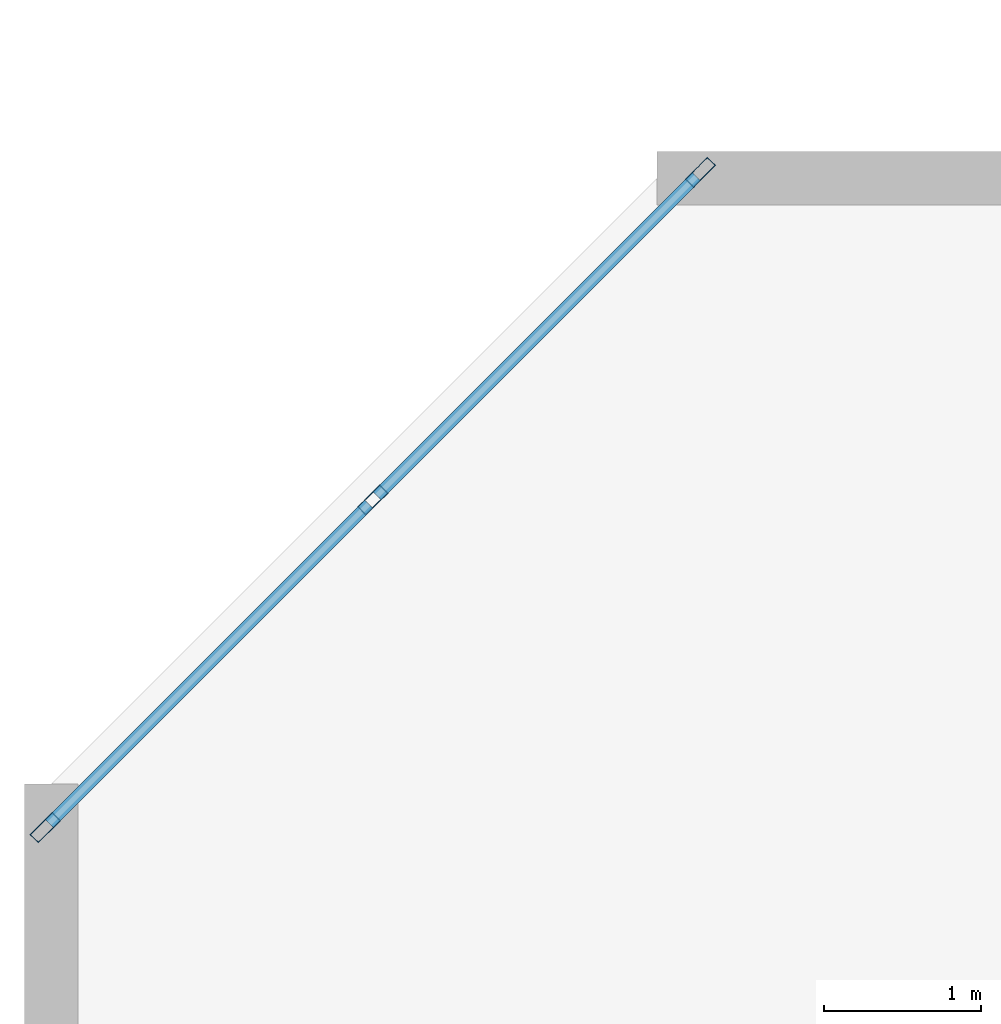
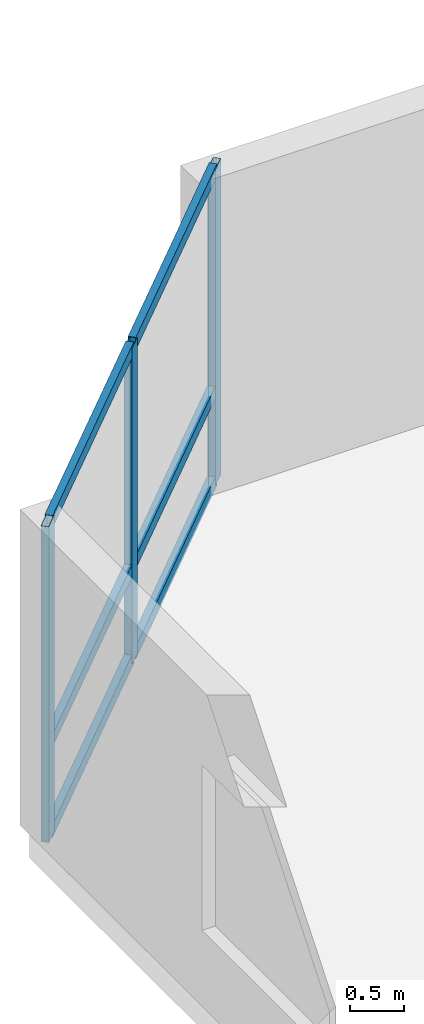
# One storey, part 3 of 12: 9 members, 1 element without a shape of its own.
"""IFC4 building model written with IfcOpenShell, lengths in metres."""

from ifc_helpers import new_model, si_unit, direction, frame, origin, origin_2d, place, context, subcontext, project, spatial, hollow_rectangle, extrude, material, layer, layer_set, material_profile, profile_set, type_object, element, aggregate, save


model = new_model("IFC4")

# Units and contexts
model_context = context("Model", 3, precision=1e-05, world=origin(), true_north=direction((0.0, 1.0)))
body_context = subcontext(model_context, "Body", "Model", "MODEL_VIEW")
ifc_project = project(units=[si_unit("LENGTHUNIT", "METRE"), si_unit("AREAUNIT", "SQUARE_METRE"), si_unit("VOLUMEUNIT", "CUBIC_METRE"), si_unit("PLANEANGLEUNIT", "RADIAN"), si_unit("MASSUNIT", "GRAM", prefix="KILO")], contexts=[model_context])

# Site, building, storey
site_placement = place(None, origin())
site = spatial("IfcSite", under=ifc_project, at=site_placement, CompositionType="ELEMENT")
building_placement = place(site_placement, origin())
building = spatial("IfcBuilding", under=site, at=building_placement, Name="Kestravale Grand Hotel", CompositionType="ELEMENT")
storey_placement = place(building_placement, frame((0.0, 0.0, 67.800048828125)))
storey = spatial("IfcBuildingStorey", under=building, at=storey_placement, Name="L16", CompositionType="ELEMENT", Elevation=67.800048828125)

# Curtain wall, members
ifc_material_1 = material(Name="Thermally broken champagne-bronze aluminium and low-E glazing", Category="aluminium")
ifc_layer = layer(ifc_material_1, 0.199951171875)
ifc_layer_set = layer_set([ifc_layer], Name="CW-Z1")
curtain_wall_type = type_object("IfcCurtainWallType", Name="CW-Z1", PredefinedType="NOTDEFINED", material=ifc_layer_set)
curtain_wall_placement = place(storey_placement, origin())
curtain_wall = element("IfcCurtainWall", 1, at=curtain_wall_placement, inside=storey, type_object=curtain_wall_type, Name="L16 unitised curtain wall 18", PredefinedType="NOTDEFINED")
ifc_material_2 = material(Name="Aluminium 6063-T6 anodised", Category="aluminium")
ifc_material_profile_1 = material_profile(ifc_material_2, hollow_rectangle(XDim=0.074951171875, YDim=0.199951171875, WallThickness=0.00390625, at=origin_2d()))
ifc_profile_set_1 = profile_set([ifc_material_profile_1], Name="Aluminium 6063-T6 anodised")
member_type_1 = type_object("IfcMemberType", Name="CW-MUL-200", PredefinedType="MULLION", material=ifc_profile_set_1)
member_1_placement = place(storey_placement, frame((6.707763671875, 46.0673828125, 0.0), z_axis=(0.0, 0.0, 1.0), x_axis=(0.707106781187, -0.707106781187, 0.0)))
member_1 = element("IfcMember", 2, at=member_1_placement, type_object=member_type_1, Name="CW-Z1 mullion 1", PredefinedType="MULLION", context=body_context, shape_type="SweptSolid", body=[
    extrude(hollow_rectangle(XDim=0.074951171875, YDim=0.199951171875, WallThickness=0.00390625, at=origin_2d()), origin(), (0.0, 0.0, 1.0), 3.5400390625),
])
member_2_placement = place(storey_placement, frame((4.6201171875, 43.979736328125, 0.0), z_axis=(0.0, 0.0, 1.0), x_axis=(0.707106781187, -0.707106781187, 0.0)))
member_2 = element("IfcMember", 3, at=member_2_placement, type_object=member_type_1, Name="CW-Z1 mullion 2", PredefinedType="MULLION", context=body_context, shape_type="SweptSolid", body=[
    extrude(hollow_rectangle(XDim=0.074951171875, YDim=0.199951171875, WallThickness=0.00390625, at=origin_2d()), origin(), (0.0, 0.0, 1.0), 3.5400390625),
])
member_3_placement = place(storey_placement, frame((2.532470703125, 41.89208984375, 0.0), z_axis=(0.0, 0.0, 1.0), x_axis=(0.707106781187, -0.707106781187, 0.0)))
member_3 = element("IfcMember", 4, at=member_3_placement, type_object=member_type_1, Name="CW-Z1 mullion 3", PredefinedType="MULLION", context=body_context, shape_type="SweptSolid", body=[
    extrude(hollow_rectangle(XDim=0.074951171875, YDim=0.199951171875, WallThickness=0.00390625, at=origin_2d()), origin(), (0.0, 0.0, 1.0), 3.5400390625),
])
ifc_material_3 = material(Name="Aluminium 6063-T6 anodised", Category="aluminium")
ifc_material_profile_2 = material_profile(ifc_material_3, hollow_rectangle(XDim=0.074951171875, YDim=0.139892578125, WallThickness=0.00341796875, at=origin_2d()))
ifc_profile_set_2 = profile_set([ifc_material_profile_2], Name="Aluminium 6063-T6 anodised")
member_type_2 = type_object("IfcMemberType", Name="CW-TRN-140", PredefinedType="USERDEFINED", material=ifc_profile_set_2)
member_4_placement = place(storey_placement, frame((6.681396484375, 46.041015625, 0.037353515625), z_axis=(-0.707106781187, -0.707106781187, 0.0), x_axis=(0.707106781187, -0.707106781187, 0.0)))
member_4 = element("IfcMember", 5, at=member_4_placement, type_object=member_type_2, Name="CW-Z1 transom 1.1", ObjectType="TRANSOM", PredefinedType="USERDEFINED", context=body_context, shape_type="SweptSolid", body=[
    extrude(hollow_rectangle(XDim=0.074951171875, YDim=0.139892578125, WallThickness=0.00341796875, at=origin_2d()), origin(), (0.0, 0.0, 1.0), 2.87744140625),
])
member_5_placement = place(storey_placement, frame((6.681396484375, 46.041015625, 1.050048828125), z_axis=(-0.707106781187, -0.707106781187, 0.0), x_axis=(0.707106781187, -0.707106781187, 0.0)))
member_5 = element("IfcMember", 6, at=member_5_placement, type_object=member_type_2, Name="CW-Z1 transom 1.2", ObjectType="TRANSOM", PredefinedType="USERDEFINED", context=body_context, shape_type="SweptSolid", body=[
    extrude(hollow_rectangle(XDim=0.074951171875, YDim=0.139892578125, WallThickness=0.00341796875, at=origin_2d()), origin(), (0.0, 0.0, 1.0), 2.87744140625),
])
member_6_placement = place(storey_placement, frame((6.681396484375, 46.041015625, 3.50244140625), z_axis=(-0.707106781187, -0.707106781187, 0.0), x_axis=(0.707106781187, -0.707106781187, 0.0)))
member_6 = element("IfcMember", 7, at=member_6_placement, type_object=member_type_2, Name="CW-Z1 transom 1.3", ObjectType="TRANSOM", PredefinedType="USERDEFINED", context=body_context, shape_type="SweptSolid", body=[
    extrude(hollow_rectangle(XDim=0.074951171875, YDim=0.139892578125, WallThickness=0.00341796875, at=origin_2d()), origin(), (0.0, 0.0, 1.0), 2.87744140625),
])
member_7_placement = place(storey_placement, frame((4.59375, 43.953369140625, 0.037353515625), z_axis=(-0.707106781187, -0.707106781187, 0.0), x_axis=(0.707106781187, -0.707106781187, 0.0)))
member_7 = element("IfcMember", 8, at=member_7_placement, type_object=member_type_2, Name="CW-Z1 transom 2.1", ObjectType="TRANSOM", PredefinedType="USERDEFINED", context=body_context, shape_type="SweptSolid", body=[
    extrude(hollow_rectangle(XDim=0.074951171875, YDim=0.139892578125, WallThickness=0.00341796875, at=origin_2d()), origin(), (0.0, 0.0, 1.0), 2.87744140625),
])
member_8_placement = place(storey_placement, frame((4.59375, 43.953369140625, 1.050048828125), z_axis=(-0.707106781187, -0.707106781187, 0.0), x_axis=(0.707106781187, -0.707106781187, 0.0)))
member_8 = element("IfcMember", 9, at=member_8_placement, type_object=member_type_2, Name="CW-Z1 transom 2.2", ObjectType="TRANSOM", PredefinedType="USERDEFINED", context=body_context, shape_type="SweptSolid", body=[
    extrude(hollow_rectangle(XDim=0.074951171875, YDim=0.139892578125, WallThickness=0.00341796875, at=origin_2d()), origin(), (0.0, 0.0, 1.0), 2.87744140625),
])
member_9_placement = place(storey_placement, frame((4.59375, 43.953369140625, 3.50244140625), z_axis=(-0.707106781187, -0.707106781187, 0.0), x_axis=(0.707106781187, -0.707106781187, 0.0)))
member_9 = element("IfcMember", 10, at=member_9_placement, type_object=member_type_2, Name="CW-Z1 transom 2.3", ObjectType="TRANSOM", PredefinedType="USERDEFINED", context=body_context, shape_type="SweptSolid", body=[
    extrude(hollow_rectangle(XDim=0.074951171875, YDim=0.139892578125, WallThickness=0.00341796875, at=origin_2d()), origin(), (0.0, 0.0, 1.0), 2.87744140625),
])
aggregate(curtain_wall, [member_1, member_2, member_3, member_4, member_5, member_6, member_7, member_8, member_9])

save(model, "model.ifc")
